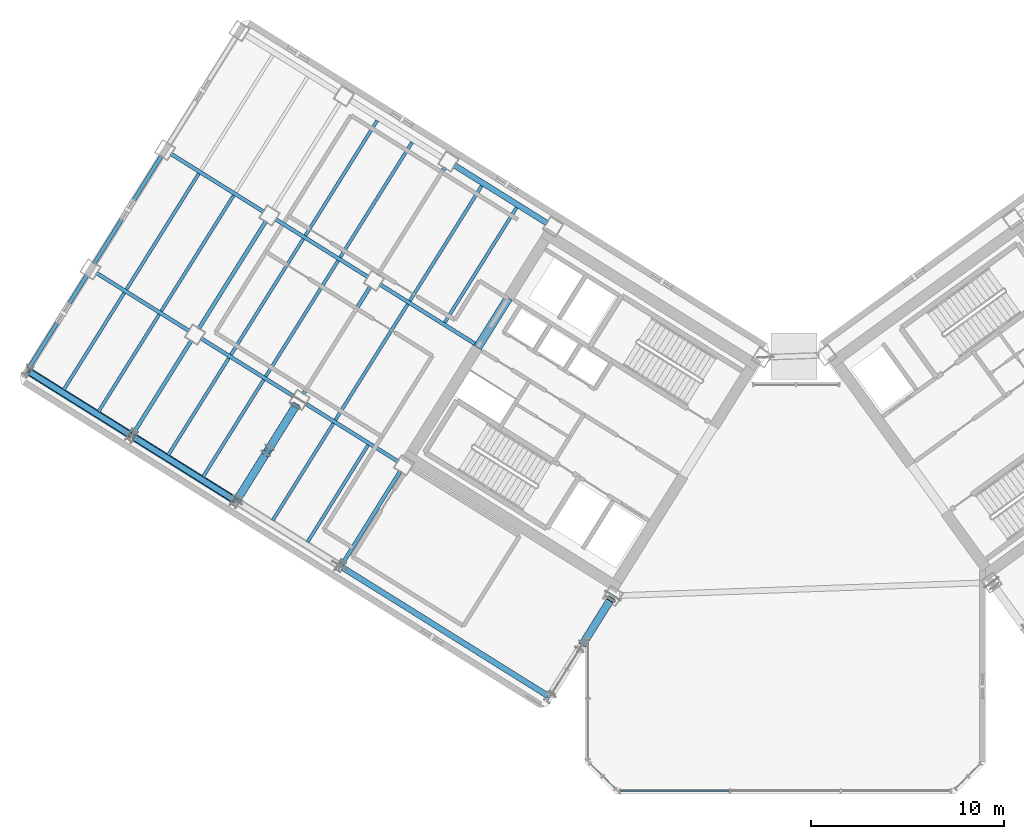
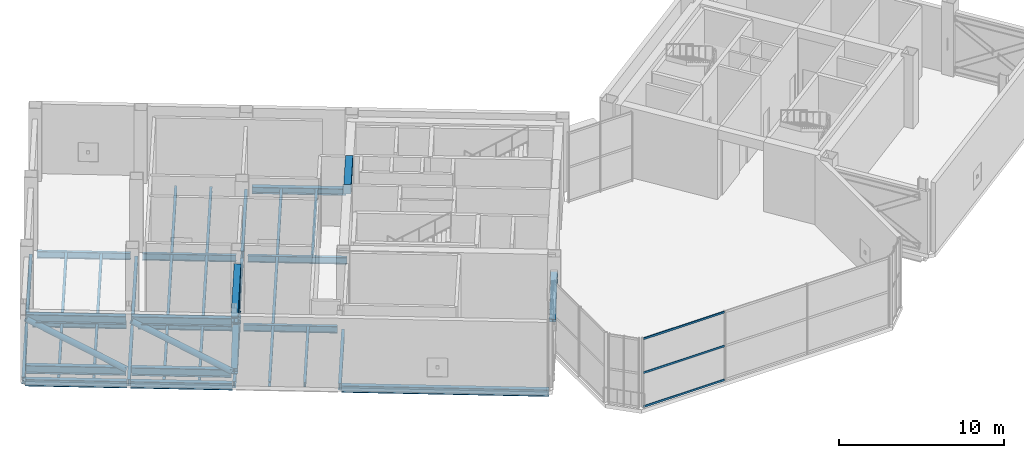
# One storey, part 7 of 30: 34 beams, 15 members, 1 element without a shape of its own.
"""IFC4 building model written with IfcOpenShell, lengths in metres."""

from ifc_helpers import new_model, si_unit, direction, frame, origin, origin_2d, place, context, subcontext, project, spatial, rectangle, hollow_rectangle, hollow_circle, i_section, extrude, source, transform, mapped, material, material_profile, profile_set, type_object, element, aggregate, save


model = new_model("IFC4")

# Units and contexts
model_context = context("Model", 3, precision=1e-05, world=origin(), true_north=direction((0.0, 1.0)))
body_context = subcontext(model_context, "Body", "Model", "MODEL_VIEW")
ifc_project = project(units=[si_unit("LENGTHUNIT", "METRE"), si_unit("AREAUNIT", "SQUARE_METRE"), si_unit("VOLUMEUNIT", "CUBIC_METRE"), si_unit("PLANEANGLEUNIT", "RADIAN"), si_unit("MASSUNIT", "GRAM", prefix="KILO")], contexts=[model_context])

# Site, building, storey
site_placement = place(None, origin())
site = spatial("IfcSite", under=ifc_project, at=site_placement, CompositionType="ELEMENT")
building_placement = place(site_placement, origin())
building = spatial("IfcBuilding", under=site, at=building_placement, Name="Tlacorven Tower", CompositionType="ELEMENT")
storey_placement = place(building_placement, frame((0.0, 0.0, 169.5)))
storey = spatial("IfcBuildingStorey", under=building, at=storey_placement, Name="L43", CompositionType="ELEMENT", Elevation=169.5)

# Beams
ifc_material_1 = material(Name="Concrete C60/75", Category="concrete")
ifc_material_profile_1 = material_profile(ifc_material_1, rectangle(XDim=0.449951171875, YDim=0.699951171875, at=origin_2d()), Name="RC 450X700")
ifc_profile_set_1 = profile_set([ifc_material_profile_1], Name="Concrete C60/75")
beam_type_1 = type_object("IfcBeamType", Name="BM-LNT-700", PredefinedType="LINTEL", material=ifc_profile_set_1)
shared_shape_1 = source(origin(), body_context, "Body", "SweptSolid", [
    extrude(rectangle(XDim=0.449951171875, YDim=0.699951171875, at=origin_2d()), origin(), (0.0, 0.0, 1.0), 3.0498046875),
])
beam_1_placement = place(storey_placement, frame((27.622802734375, 27.562255859375, 4.800048828125), z_axis=(-0.529926983584, -0.848043272522, 0.0), x_axis=(0.848043272522, -0.529926983584, 0.0)))
element("IfcBeam", 1, at=beam_1_placement, inside=storey, type_object=beam_type_1, Name="L43 W core coupling lintel beam E2", PredefinedType="LINTEL", context=body_context, shape_type="MappedRepresentation", body=[
    mapped(shared_shape_1, transform((0.0, 0.0, 0.0), scale=1.0)),
])
ifc_material_2 = material(Name="Steel S355J2", Category="steel")
ifc_material_profile_2 = material_profile(ifc_material_2, i_section(OverallWidth=0.300048828125, OverallDepth=0.489990234375, WebThickness=0.011962890625, FlangeThickness=0.02294921875, at=origin_2d()), Name="HEA 500")
ifc_profile_set_2 = profile_set([ifc_material_profile_2], Name="Steel S355J2")
beam_type_2 = type_object("IfcBeamType", Name="BM-SPN-500", PredefinedType="SPANDREL", material=ifc_profile_set_2)
shared_shape_2 = source(origin(), body_context, "Body", "SweptSolid", [
    extrude(i_section(OverallWidth=0.300048828125, OverallDepth=0.489990234375, WebThickness=0.011962890625, FlangeThickness=0.02294921875, at=origin_2d()), origin(), (0.0, 0.0, 1.0), 12.599853515625),
])
beam_2_placement = place(storey_placement, frame((29.67578125, 6.882080078125, -0.52490234375), z_axis=(-0.848045108756, 0.529924045043, 0.0), x_axis=(-0.529924045043, -0.848045108756, 0.0)))
element("IfcBeam", 2, at=beam_2_placement, inside=storey, type_object=beam_type_2, Name="L43 beam BM-L43-WL4-1", PredefinedType="SPANDREL", context=body_context, shape_type="MappedRepresentation", body=[
    mapped(shared_shape_2, transform((0.0, 0.0, 0.0), scale=1.0)),
])
shared_shape_3 = source(origin(), body_context, "Body", "SweptSolid", [
    extrude(i_section(OverallWidth=0.300048828125, OverallDepth=0.489990234375, WebThickness=0.011962890625, FlangeThickness=0.02294921875, at=origin_2d()), origin(), (0.0, 0.0, 1.0), 6.199951171875),
])
for number, where, z_axis, x_axis, name in (
    (3, (13.393310546875, 17.056396484375, -0.52490234375), (-0.848033697614, 0.529942306022, 0.0), (-0.529942306022, -0.848033697614, 0.0), "L43 beam BM-L43-WL4-4"),
    (4, (7.9658203125, 20.447998046875, -0.52490234375), (-0.848051394107, 0.529913986372, 0.0), (-0.529913986372, -0.848051394107, 0.0), "L43 beam BM-L43-WL4-5"),
):
    element("IfcBeam", number, at=place(storey_placement, frame(where, z_axis=z_axis, x_axis=x_axis)), inside=storey, type_object=beam_type_2, Name=name, PredefinedType="SPANDREL", context=body_context, shape_type="MappedRepresentation", body=[
        mapped(shared_shape_3, transform((0.0, 0.0, 0.0), scale=1.0)),
    ])

# Members
ifc_material_3 = material(Name="Steel S460M", Category="steel")
ifc_material_profile_3 = material_profile(ifc_material_3, i_section(OverallWidth=0.406005859375, OverallDepth=0.416015625, WebThickness=0.02099609375, FlangeThickness=0.032958984375, at=origin_2d()), Name="HD 400X382")
ifc_profile_set_3 = profile_set([ifc_material_profile_3], Name="Steel S460M")
member_type_1 = type_object("IfcMemberType", Name="MB-OUT-DIA", PredefinedType="BRACE", material=ifc_profile_set_3)
shared_shape_4 = source(origin(), body_context, "Body", "SweptSolid", [
    extrude(i_section(OverallWidth=0.406005859375, OverallDepth=0.416015625, WebThickness=0.02099609375, FlangeThickness=0.032958984375, at=origin_2d()), origin(), (0.0, 0.0, 1.0), 3.170654296875),
])
member_1_placement = place(storey_placement, frame((32.9375, 11.9130859375, 4.10498046875), z_axis=(-0.452455104222, -0.724112968023, -0.520523571229), x_axis=(0.848059094389, -0.529901662976, 0.0)))
element("IfcMember", 5, at=member_1_placement, inside=storey, type_object=member_type_1, Name="L43 Outrigger Truss Split Diagonal W1-2A", PredefinedType="BRACE", context=body_context, shape_type="MappedRepresentation", body=[
    mapped(shared_shape_4, transform((0.0, 0.0, 0.0), scale=1.0)),
])
shared_shape_5 = source(origin(), body_context, "Body", "SweptSolid", [
    extrude(i_section(OverallWidth=0.406005859375, OverallDepth=0.416015625, WebThickness=0.02099609375, FlangeThickness=0.032958984375, at=origin_2d()), origin(), (0.0, 0.0, 1.0), 3.245849609375),
])
member_2_placement = place(storey_placement, frame((15.021240234375, 19.47314453125, 2.2255859375), z_axis=(-0.452422434918, -0.724101542968, -0.52056785903), x_axis=(0.848072531468, -0.529880157555, 0.0)))
element("IfcMember", 6, at=member_2_placement, inside=storey, type_object=member_type_1, Name="L43 Outrigger Truss Split Diagonal W2-2B", PredefinedType="BRACE", context=body_context, shape_type="MappedRepresentation", body=[
    mapped(shared_shape_5, transform((0.0, 0.0, 0.0), scale=1.0)),
])
ifc_material_profile_4 = material_profile(ifc_material_3, i_section(OverallWidth=0.300048828125, OverallDepth=0.60009765625, WebThickness=0.015380859375, FlangeThickness=0.030029296875, at=origin_2d()), Name="HEB 600")
ifc_profile_set_4 = profile_set([ifc_material_profile_4], Name="Steel S460M")
member_type_2 = type_object("IfcMemberType", Name="MB-BLT-CHD", PredefinedType="CHORD", material=ifc_profile_set_4)
shared_shape_6 = source(origin(), body_context, "Body", "SweptSolid", [
    extrude(i_section(OverallWidth=0.300048828125, OverallDepth=0.60009765625, WebThickness=0.015380859375, FlangeThickness=0.030029296875, at=origin_2d()), origin(), (0.0, 0.0, 1.0), 6.070068359375),
])
for number, where, z_axis, x_axis, name in (
    (7, (13.338134765625, 17.0908203125, 0.449951171875), (-0.848054789024, 0.529908553255, 0.0), (-0.529908553255, -0.848054789024, 0.0), "L43 Belt Truss Chord W2-B"),
    (8, (13.338134765625, 17.0908203125, 4.22998046875), (-0.848054789024, 0.529908553255, 0.0), (-0.529908553255, -0.848054789024, 0.0), "L43 Belt Truss Chord W2-T"),
    (9, (7.91064453125, 20.482421875, 0.449951171875), (-0.848054789024, 0.529908553255, 0.0), (-0.529908553255, -0.848054789024, 0.0), "L43 Belt Truss Chord W3-B"),
    (10, (7.91064453125, 20.482421875, 4.22998046875), (-0.848054789024, 0.529908553255, 0.0), (-0.529908553255, -0.848054789024, 0.0), "L43 Belt Truss Chord W3-T"),
):
    element("IfcMember", number, at=place(storey_placement, frame(where, z_axis=z_axis, x_axis=x_axis)), inside=storey, type_object=member_type_2, Name=name, PredefinedType="CHORD", context=body_context, shape_type="MappedRepresentation", body=[
        mapped(shared_shape_6, transform((0.0, 0.0, 0.0), scale=1.0)),
    ])

# Beams
shared_shape_7 = source(origin(), body_context, "Body", "SweptSolid", [
    extrude(i_section(OverallWidth=0.300048828125, OverallDepth=0.489990234375, WebThickness=0.011962890625, FlangeThickness=0.02294921875, at=origin_2d()), origin(), (0.0, 0.0, 1.0), 5.699951171875),
])
beam_3_placement = place(storey_placement, frame((29.631103515625, 31.436767578125, -0.52490234375), z_axis=(-0.848044021115, 0.529925785607, 0.0), x_axis=(-0.529925785607, -0.848044021115, 0.0)))
element("IfcBeam", 11, at=beam_3_placement, inside=storey, type_object=beam_type_2, Name="L43 beam BM-L43-WL1-3", PredefinedType="SPANDREL", context=body_context, shape_type="MappedRepresentation", body=[
    mapped(shared_shape_7, transform((0.0, 0.0, 0.0), scale=1.0)),
])
ifc_material_profile_5 = material_profile(ifc_material_2, i_section(OverallWidth=0.199951171875, OverallDepth=0.5, WebThickness=0.01025390625, FlangeThickness=0.01611328125, at=origin_2d()), Name="IPE 500")
ifc_profile_set_5 = profile_set([ifc_material_profile_5], Name="Steel S355J2")
beam_type_3 = type_object("IfcBeamType", Name="BM-TWR-500", PredefinedType="BEAM", material=ifc_profile_set_5)
shared_shape_8 = source(origin(), body_context, "Body", "SweptSolid", [
    extrude(i_section(OverallWidth=0.199951171875, OverallDepth=0.5, WebThickness=0.01025390625, FlangeThickness=0.01611328125, at=origin_2d()), origin(), (0.0, 0.0, 1.0), 6.010009765625),
])
beam_4_placement = place(storey_placement, frame((26.025634765625, 25.081787109375, -0.530029296875), z_axis=(-0.848043944584, 0.529925908081, 0.0), x_axis=(-0.529925908081, -0.848043944584, 0.0)))
element("IfcBeam", 12, at=beam_4_placement, inside=storey, type_object=beam_type_3, Name="L43 beam BM-L43-WL2-3", PredefinedType="BEAM", context=body_context, shape_type="MappedRepresentation", body=[
    mapped(shared_shape_8, transform((0.0, 0.0, 0.0), scale=1.0)),
])
shared_shape_9 = source(origin(), body_context, "Body", "SweptSolid", [
    extrude(i_section(OverallWidth=0.199951171875, OverallDepth=0.5, WebThickness=0.01025390625, FlangeThickness=0.01611328125, at=origin_2d()), origin(), (0.0, 0.0, 1.0), 5.7001953125),
])
for number, where, z_axis, x_axis, name in (
    (13, (20.335205078125, 28.637451171875, -0.530029296875), (-0.848036800771, 0.529937340199, 0.0), (-0.529937340199, -0.848036800771, 0.0), "L43 beam BM-L43-WL2-4"),
    (14, (14.90771484375, 32.029052734375, -0.530029296875), (-0.848056048787, 0.529906537151, 0.0), (-0.529906537151, -0.848056048787, 0.0), "L43 beam BM-L43-WL2-5"),
    (15, (16.466796875, 22.44677734375, -0.530029296875), (-0.848056048787, 0.529906537151, 0.0), (-0.529906537151, -0.848056048787, 0.0), "L43 beam BM-L43-WL3-4"),
    (16, (11.039306640625, 25.83837890625, -0.530029296875), (-0.848056048787, 0.529906537151, 0.0), (-0.529906537151, -0.848056048787, 0.0), "L43 beam BM-L43-WL3-5"),
):
    element("IfcBeam", number, at=place(storey_placement, frame(where, z_axis=z_axis, x_axis=x_axis)), inside=storey, type_object=beam_type_3, Name=name, PredefinedType="BEAM", context=body_context, shape_type="MappedRepresentation", body=[
        mapped(shared_shape_9, transform((0.0, 0.0, 0.0), scale=1.0)),
    ])
shared_shape_10 = source(origin(), body_context, "Body", "SweptSolid", [
    extrude(i_section(OverallWidth=0.199951171875, OverallDepth=0.5, WebThickness=0.01025390625, FlangeThickness=0.01611328125, at=origin_2d()), origin(), (0.0, 0.0, 1.0), 5.699951171875),
])
beam_5_placement = place(storey_placement, frame((21.894287109375, 19.055419921875, -0.530029296875), z_axis=(-0.848044021115, 0.529925785607, 0.0), x_axis=(-0.529925785607, -0.848044021115, 0.0)))
element("IfcBeam", 17, at=beam_5_placement, inside=storey, type_object=beam_type_3, Name="L43 beam BM-L43-WL3-3", PredefinedType="BEAM", context=body_context, shape_type="MappedRepresentation", body=[
    mapped(shared_shape_10, transform((0.0, 0.0, 0.0), scale=1.0)),
])
shared_shape_11 = source(origin(), body_context, "Body", "SweptSolid", [
    extrude(i_section(OverallWidth=0.199951171875, OverallDepth=0.5, WebThickness=0.01025390625, FlangeThickness=0.01611328125, at=origin_2d()), origin(), (0.0, 0.0, 1.0), 5.75),
])
for number, where, z_axis, x_axis, name in (
    (18, (22.005615234375, 18.572998046875, -0.530029296875), (-0.529934056882, -0.848038852504, 0.0), (0.848038852504, -0.529934056882, 0.0), "L43 beam BM-L43-WT3-2"),
    (19, (11.150634765625, 25.35595703125, -0.530029296875), (-0.529934056882, -0.848038852504, 0.0), (0.848038852504, -0.529934056882, 0.0), "L43 beam BM-L43-WT5-3"),
):
    element("IfcBeam", number, at=place(storey_placement, frame(where, z_axis=z_axis, x_axis=x_axis)), inside=storey, type_object=beam_type_3, Name=name, PredefinedType="BEAM", context=body_context, shape_type="MappedRepresentation", body=[
        mapped(shared_shape_11, transform((0.0, 0.0, 0.0), scale=1.0)),
    ])
shared_shape_12 = source(origin(), body_context, "Body", "SweptSolid", [
    extrude(i_section(OverallWidth=0.199951171875, OverallDepth=0.5, WebThickness=0.01025390625, FlangeThickness=0.01611328125, at=origin_2d()), origin(), (0.0, 0.0, 1.0), 6.599853515625),
])
beam_6_placement = place(storey_placement, frame((24.31494140625, 34.345947265625, -0.530029296875), z_axis=(-0.529942412256, -0.848033631227, 0.0), x_axis=(0.848033631227, -0.529942412256, 0.0)))
element("IfcBeam", 20, at=beam_6_placement, inside=storey, type_object=beam_type_3, Name="L43 beam BM-L43-WT4-1", PredefinedType="BEAM", context=body_context, shape_type="MappedRepresentation", body=[
    mapped(shared_shape_12, transform((0.0, 0.0, 0.0), scale=1.0)),
])
shared_shape_13 = source(origin(), body_context, "Body", "SweptSolid", [
    extrude(i_section(OverallWidth=0.199951171875, OverallDepth=0.5, WebThickness=0.01025390625, FlangeThickness=0.01611328125, at=origin_2d()), origin(), (0.0, 0.0, 1.0), 6.60009765625),
])
for number, where, z_axis, x_axis, name in (
    (21, (20.446533203125, 28.1552734375, -0.530029296875), (-0.529925788294, -0.848044019436, 0.0), (0.848044019436, -0.529925788294, 0.0), "L43 beam BM-L43-WT4-2"),
    (22, (15.01904296875, 31.546875, -0.530029296875), (-0.529925788294, -0.848044019436, 0.0), (0.848044019436, -0.529925788294, 0.0), "L43 beam BM-L43-WT5-2"),
    (23, (9.591552734375, 34.938232421875, -0.530029296875), (-0.529925788294, -0.848044019436, 0.0), (0.848044019436, -0.529925788294, 0.0), "L43 beam BM-L43-WT6-2"),
):
    element("IfcBeam", number, at=place(storey_placement, frame(where, z_axis=z_axis, x_axis=x_axis)), inside=storey, type_object=beam_type_3, Name=name, PredefinedType="BEAM", context=body_context, shape_type="MappedRepresentation", body=[
        mapped(shared_shape_13, transform((0.0, 0.0, 0.0), scale=1.0)),
    ])
shared_shape_14 = source(origin(), body_context, "Body", "SweptSolid", [
    extrude(i_section(OverallWidth=0.199951171875, OverallDepth=0.5, WebThickness=0.01025390625, FlangeThickness=0.01611328125, at=origin_2d()), origin(), (0.0, 0.0, 1.0), 5.750244140625),
])
for number, where, z_axis, x_axis, name in (
    (24, (16.578125, 21.964599609375, -0.530029296875), (-0.529914976044, -0.848050775699, 0.0), (0.848050775699, -0.529914976044, 0.0), "L43 beam BM-L43-WT4-3"),
    (25, (5.72314453125, 28.74755859375, -0.530029296875), (-0.529914976044, -0.848050775699, 0.0), (0.848050775699, -0.529914976044, 0.0), "L43 beam BM-L43-WT6-3"),
):
    element("IfcBeam", number, at=place(storey_placement, frame(where, z_axis=z_axis, x_axis=x_axis)), inside=storey, type_object=beam_type_3, Name=name, PredefinedType="BEAM", context=body_context, shape_type="MappedRepresentation", body=[
        mapped(shared_shape_14, transform((0.0, 0.0, 0.0), scale=1.0)),
    ])
ifc_material_profile_6 = material_profile(ifc_material_2, i_section(OverallWidth=0.169921875, OverallDepth=0.360107421875, WebThickness=0.008056640625, FlangeThickness=0.0126953125, at=origin_2d()), Name="IPE 360")
ifc_profile_set_6 = profile_set([ifc_material_profile_6], Name="Steel S355J2")
beam_type_4 = type_object("IfcBeamType", Name="BM-JST-360", PredefinedType="JOIST", material=ifc_profile_set_6)
shared_shape_15 = source(origin(), body_context, "Body", "SweptSolid", [
    extrude(i_section(OverallWidth=0.169921875, OverallDepth=0.360107421875, WebThickness=0.008056640625, FlangeThickness=0.0126953125, at=origin_2d()), origin(), (0.0, 0.0, 1.0), 7.0400390625),
])
for number, where, z_axis, x_axis, name in (
    (26, (28.03662109375, 32.25048828125, -0.4599609375), (-0.529889834233, -0.848066485351, 0.0), (0.848066485351, -0.529889834233, 0.0), "L43 beam BM-L43-WJ3-1-1"),
    (27, (26.2275390625, 33.380859375, -0.4599609375), (-0.529930359501, -0.848041162963, 0.0), (0.848041162963, -0.529930359501, 0.0), "L43 beam BM-L43-WJ3-1-2"),
    (28, (22.609130859375, 35.641845703125, -0.4599609375), (-0.529930359501, -0.848041162963, 0.0), (0.848041162963, -0.529930359501, 0.0), "L43 beam BM-L43-WJ4-1-1"),
    (29, (20.800048828125, 36.7724609375, -0.4599609375), (-0.529930359501, -0.848041162963, 0.0), (0.848041162963, -0.529930359501, 0.0), "L43 beam BM-L43-WJ4-1-2"),
):
    element("IfcBeam", number, at=place(storey_placement, frame(where, z_axis=z_axis, x_axis=x_axis)), inside=storey, type_object=beam_type_4, Name=name, PredefinedType="JOIST", context=body_context, shape_type="MappedRepresentation", body=[
        mapped(shared_shape_15, transform((0.0, 0.0, 0.0), scale=1.0)),
    ])
shared_shape_16 = source(origin(), body_context, "Body", "SweptSolid", [
    extrude(i_section(OverallWidth=0.169921875, OverallDepth=0.360107421875, WebThickness=0.008056640625, FlangeThickness=0.0126953125, at=origin_2d()), origin(), (0.0, 0.0, 1.0), 5.940185546875),
])
for number, where, z_axis, x_axis, name in (
    (30, (20.326416015625, 19.911376953125, -0.4599609375), (-0.529902882565, -0.848058332339, 0.0), (0.848058332339, -0.529902882565, 0.0), "L43 beam BM-L43-WJ3-3-1"),
    (31, (9.471435546875, 26.6943359375, -0.4599609375), (-0.529932440872, -0.848039862336, 0.0), (0.848039862336, -0.529932440872, 0.0), "L43 beam BM-L43-WJ5-3-1"),
):
    element("IfcBeam", number, at=place(storey_placement, frame(where, z_axis=z_axis, x_axis=x_axis)), inside=storey, type_object=beam_type_4, Name=name, PredefinedType="JOIST", context=body_context, shape_type="MappedRepresentation", body=[
        mapped(shared_shape_16, transform((0.0, 0.0, 0.0), scale=1.0)),
    ])
shared_shape_17 = source(origin(), body_context, "Body", "SweptSolid", [
    extrude(i_section(OverallWidth=0.169921875, OverallDepth=0.360107421875, WebThickness=0.008056640625, FlangeThickness=0.0126953125, at=origin_2d()), origin(), (0.0, 0.0, 1.0), 7.090087890625),
])
for number, where, z_axis, x_axis, name in (
    (32, (22.385498046875, 27.232666015625, -0.4599609375), (-0.529912270669, -0.84805246618, 0.0), (0.84805246618, -0.529912270669, 0.0), "L43 beam BM-L43-WJ3-2-2"),
    (33, (16.9580078125, 30.6240234375, -0.4599609375), (-0.529912270669, -0.84805246618, 0.0), (0.84805246618, -0.529912270669, 0.0), "L43 beam BM-L43-WJ4-2-2"),
    (34, (13.33984375, 32.885009765625, -0.4599609375), (-0.529937035031, -0.848036991471, 0.0), (0.848036991471, -0.529937035031, 0.0), "L43 beam BM-L43-WJ5-2-1"),
    (35, (11.530517578125, 34.015625, -0.4599609375), (-0.529912270669, -0.84805246618, 0.0), (0.84805246618, -0.529912270669, 0.0), "L43 beam BM-L43-WJ5-2-2"),
):
    element("IfcBeam", number, at=place(storey_placement, frame(where, z_axis=z_axis, x_axis=x_axis)), inside=storey, type_object=beam_type_4, Name=name, PredefinedType="JOIST", context=body_context, shape_type="MappedRepresentation", body=[
        mapped(shared_shape_17, transform((0.0, 0.0, 0.0), scale=1.0)),
    ])
shared_shape_18 = source(origin(), body_context, "Body", "SweptSolid", [
    extrude(i_section(OverallWidth=0.169921875, OverallDepth=0.360107421875, WebThickness=0.008056640625, FlangeThickness=0.0126953125, at=origin_2d()), origin(), (0.0, 0.0, 1.0), 5.93994140625),
])
for number, where, z_axis, x_axis, name in (
    (36, (18.51708984375, 21.041748046875, -0.4599609375), (-0.529921352973, -0.848046790963, 0.0), (0.848046790963, -0.529921352973, 0.0), "L43 beam BM-L43-WJ3-3-2"),
    (37, (14.89892578125, 23.302734375, -0.4599609375), (-0.529921352973, -0.848046790963, 0.0), (0.848046790963, -0.529921352973, 0.0), "L43 beam BM-L43-WJ4-3-1"),
    (38, (13.089599609375, 24.433349609375, -0.4599609375), (-0.529921352973, -0.848046790963, 0.0), (0.848046790963, -0.529921352973, 0.0), "L43 beam BM-L43-WJ4-3-2"),
    (39, (7.662109375, 27.82470703125, -0.4599609375), (-0.529921352973, -0.848046790963, 0.0), (0.848046790963, -0.529921352973, 0.0), "L43 beam BM-L43-WJ5-3-2"),
):
    element("IfcBeam", number, at=place(storey_placement, frame(where, z_axis=z_axis, x_axis=x_axis)), inside=storey, type_object=beam_type_4, Name=name, PredefinedType="JOIST", context=body_context, shape_type="MappedRepresentation", body=[
        mapped(shared_shape_18, transform((0.0, 0.0, 0.0), scale=1.0)),
    ])
shared_shape_19 = source(origin(), body_context, "Body", "SweptSolid", [
    extrude(i_section(OverallWidth=0.169921875, OverallDepth=0.360107421875, WebThickness=0.008056640625, FlangeThickness=0.0126953125, at=origin_2d()), origin(), (0.0, 0.0, 1.0), 7.08984375),
])
beam_7_placement = place(storey_placement, frame((18.767333984375, 29.493408203125, -0.4599609375), z_axis=(-0.529952510183, -0.848027320875, 0.0), x_axis=(0.848027320875, -0.529952510183, 0.0)))
element("IfcBeam", 40, at=beam_7_placement, inside=storey, type_object=beam_type_4, Name="L43 beam BM-L43-WJ4-2-1", PredefinedType="JOIST", context=body_context, shape_type="MappedRepresentation", body=[
    mapped(shared_shape_19, transform((0.0, 0.0, 0.0), scale=1.0)),
])

# Members
ifc_material_profile_7 = material_profile(ifc_material_3, i_section(OverallWidth=0.412109375, OverallDepth=0.43505859375, WebThickness=0.02490234375, FlangeThickness=0.0400390625, at=origin_2d()), Name="HD 400X463")
ifc_profile_set_7 = profile_set([ifc_material_profile_7], Name="Steel S460M")
member_type_3 = type_object("IfcMemberType", Name="MB-OUT-CHD", PredefinedType="CHORD", material=ifc_profile_set_7)
shared_shape_20 = source(origin(), body_context, "Body", "SweptSolid", [
    extrude(i_section(OverallWidth=0.412109375, OverallDepth=0.43505859375, WebThickness=0.02490234375, FlangeThickness=0.0400390625, at=origin_2d()), origin(), (0.0, 0.0, 1.0), 5.6201171875),
])
for number, where, z_axis, x_axis, name in (
    (41, (16.543701171875, 21.909423828125, 0.449951171875), (-0.529928652696, -0.848042229521, 0.0), (0.848042229521, -0.529928652696, 0.0), "L43 Outrigger Truss Chord W2-B"),
    (42, (16.543701171875, 21.909423828125, 4.22998046875), (-0.529928652696, -0.848042229521, 0.0), (0.848042229521, -0.529928652696, 0.0), "L43 Outrigger Truss Chord W2-T"),
):
    element("IfcMember", number, at=place(storey_placement, frame(where, z_axis=z_axis, x_axis=x_axis)), inside=storey, type_object=member_type_3, Name=name, PredefinedType="CHORD", context=body_context, shape_type="MappedRepresentation", body=[
        mapped(shared_shape_20, transform((0.0, 0.0, 0.0), scale=1.0)),
    ])
shared_shape_21 = source(origin(), body_context, "Body", "SweptSolid", [
    extrude(i_section(OverallWidth=0.406005859375, OverallDepth=0.416015625, WebThickness=0.02099609375, FlangeThickness=0.032958984375, at=origin_2d()), origin(), (0.0, 0.0, 1.0), 6.681640625),
])
member_3_placement = place(storey_placement, frame((16.575927734375, 21.9609375, 0.666015625), z_axis=(-0.452464762949, -0.724097085308, 0.520537269884), x_axis=(0.848048787466, -0.529918157905, 0.0)))
element("IfcMember", 43, at=member_3_placement, inside=storey, type_object=member_type_1, Name="L43 Outrigger Truss Diagonal W2-1", PredefinedType="BRACE", context=body_context, shape_type="MappedRepresentation", body=[
    mapped(shared_shape_21, transform((0.0, 0.0, 0.0), scale=1.0)),
])
shared_shape_22 = source(origin(), body_context, "Body", "SweptSolid", [
    extrude(i_section(OverallWidth=0.406005859375, OverallDepth=0.416015625, WebThickness=0.02099609375, FlangeThickness=0.032958984375, at=origin_2d()), origin(), (0.0, 0.0, 1.0), 2.99560546875),
])
member_4_placement = place(storey_placement, frame((16.575927734375, 21.9609375, 4.013916015625), z_axis=(-0.452472516986, -0.724102722157, -0.520522688398), x_axis=(0.848046560207, -0.529921722259, 0.0)))
element("IfcMember", 44, at=member_4_placement, inside=storey, type_object=member_type_1, Name="L43 Outrigger Truss Split Diagonal W2-2A", PredefinedType="BRACE", context=body_context, shape_type="MappedRepresentation", body=[
    mapped(shared_shape_22, transform((0.0, 0.0, 0.0), scale=1.0)),
])
ifc_material_profile_8 = material_profile(ifc_material_3, hollow_circle(Radius=0.203125, WallThickness=0.02001953125, at=origin_2d()), Name="CHS 406.4X20")
ifc_profile_set_8 = profile_set([ifc_material_profile_8], Name="Steel S460M")
member_type_4 = type_object("IfcMemberType", Name="MB-BLT-DIA", PredefinedType="BRACE", material=ifc_profile_set_8)
shared_shape_23 = source(origin(), body_context, "Body", "SweptSolid", [
    extrude(hollow_circle(Radius=0.203125, WallThickness=0.02001953125, at=origin_2d()), origin(), (0.0, 0.0, 1.0), 7.062744140625),
])
for number, where, z_axis, x_axis, name in (
    (45, (13.343017578125, 17.087890625, 0.544189453125), (-0.730193117358, 0.456284280871, 0.508549571225), (-0.529926765559, -0.848043408762, 0.0), "L43 Belt Truss Diagonal W2-1"),
    (46, (7.91552734375, 20.479248046875, 0.544189453125), (-0.730193117358, 0.456284280871, 0.508549571225), (-0.529926765559, -0.848043408762, 0.0), "L43 Belt Truss Diagonal W3-1"),
):
    element("IfcMember", number, at=place(storey_placement, frame(where, z_axis=z_axis, x_axis=x_axis)), inside=storey, type_object=member_type_4, Name=name, PredefinedType="BRACE", context=body_context, shape_type="MappedRepresentation", body=[
        mapped(shared_shape_23, transform((0.0, 0.0, 0.0), scale=1.0)),
    ])

# Curtain wall, members
ifc_material_4 = material(Name="Dark solar low-E double glazing in aluminium frame", Category="aluminium")
curtain_wall_type = type_object("IfcCurtainWallType", Name="CW-TWR-MID", PredefinedType="USERDEFINED", material=ifc_material_4)
curtain_wall_placement = place(storey_placement, origin())
curtain_wall = element("IfcCurtainWall", 47, at=curtain_wall_placement, inside=storey, type_object=curtain_wall_type, Name="L43 CW-TWR-MID Curtain Wall 197", ObjectType="UNITISED CURTAIN WALL", PredefinedType="USERDEFINED")
ifc_material_5 = material(Name="Aluminium 6063-T6 anodised", Category="aluminium")
ifc_material_profile_9 = material_profile(ifc_material_5, hollow_rectangle(XDim=0.06005859375, YDim=0.139892578125, WallThickness=0.00390625, at=origin_2d()), Name="ALU TRANSOM 60X140")
ifc_profile_set_9 = profile_set([ifc_material_profile_9], Name="Aluminium 6063-T6 anodised")
member_type_5 = type_object("IfcMemberType", Name="CWT-02", PredefinedType="USERDEFINED", material=ifc_profile_set_9)
shared_shape_24 = source(origin(), body_context, "Body", "SweptSolid", [
    extrude(hollow_rectangle(XDim=0.06005859375, YDim=0.139892578125, WallThickness=0.00390625, at=origin_2d()), origin(), (0.0, 0.0, 1.0), 5.682373046875),
])
member_5_placement = place(storey_placement, frame((39.1015625, 1.9599609375, 0.070068359375), z_axis=(-1.0, 0.0, 0.0), x_axis=(0.0, -1.0, 0.0)))
member_5 = element("IfcMember", 48, at=member_5_placement, type_object=member_type_5, Name="CW-L43-197 Transom 7", ObjectType="TRANSOM", PredefinedType="USERDEFINED", context=body_context, shape_type="MappedRepresentation", body=[
    mapped(shared_shape_24, transform((0.0, 0.0, 0.0), scale=1.0)),
])
member_6_placement = place(storey_placement, frame((39.1015625, 1.9599609375, 2.574951171875), z_axis=(-1.0, 0.0, 0.0), x_axis=(0.0, -1.0, 0.0)))
member_6 = element("IfcMember", 49, at=member_6_placement, type_object=member_type_5, Name="CW-L43-197 Transom 8", ObjectType="TRANSOM", PredefinedType="USERDEFINED", context=body_context, shape_type="MappedRepresentation", body=[
    mapped(shared_shape_24, transform((0.0, 0.0, 0.0), scale=1.0)),
])
member_7_placement = place(storey_placement, frame((39.1015625, 1.9599609375, 5.080078125), z_axis=(-1.0, 0.0, 0.0), x_axis=(0.0, -1.0, 0.0)))
member_7 = element("IfcMember", 50, at=member_7_placement, type_object=member_type_5, Name="CW-L43-197 Transom 9", ObjectType="TRANSOM", PredefinedType="USERDEFINED", context=body_context, shape_type="MappedRepresentation", body=[
    mapped(shared_shape_24, transform((0.0, 0.0, 0.0), scale=1.0)),
])
aggregate(curtain_wall, [member_5, member_6, member_7])

save(model, "model.ifc")
